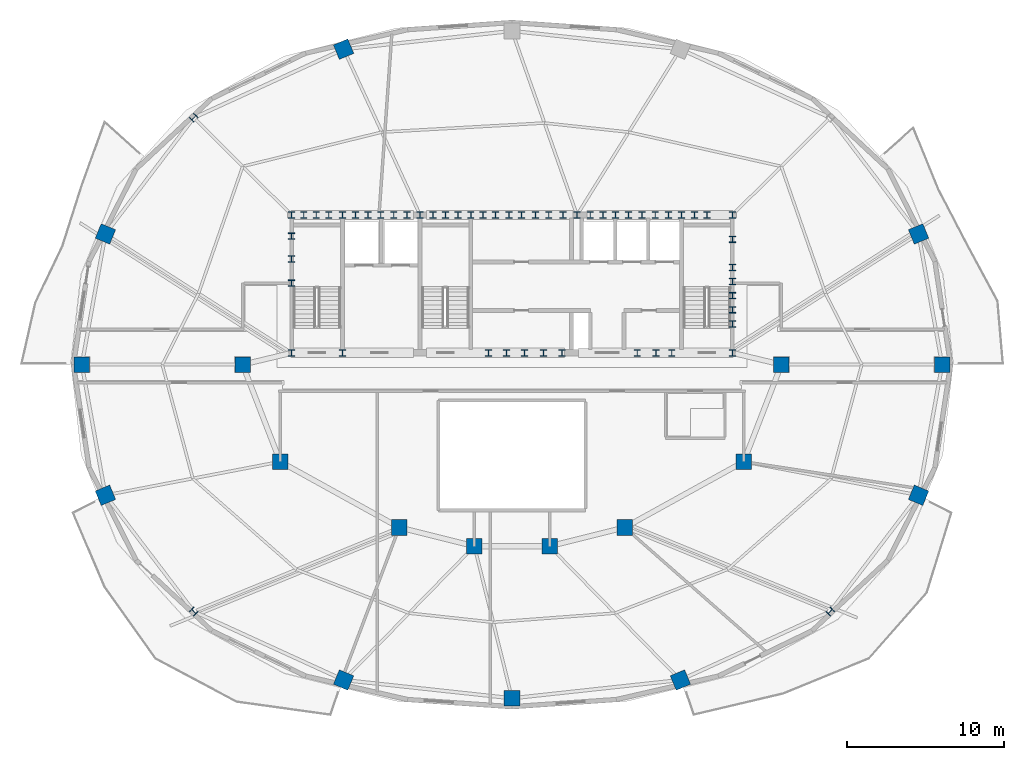
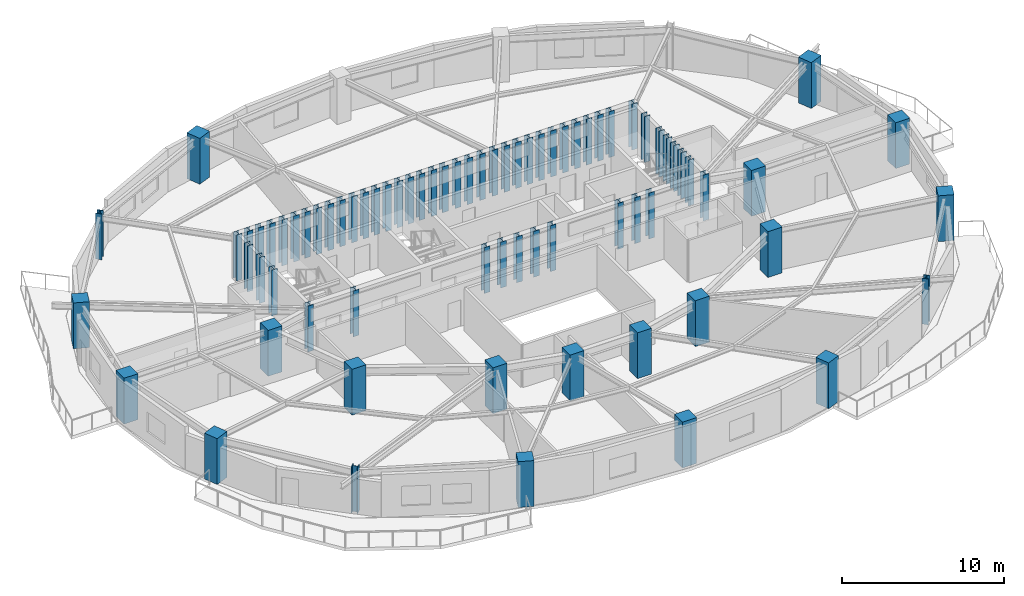
# One storey, part 1 of 11: 75 columns.
"""IFC4 building model written with IfcOpenShell, lengths in metres."""

from ifc_helpers import new_model, si_unit, direction, frame, origin, origin_2d, place, context, subcontext, project, spatial, rectangle, i_section, extrude, material, material_profile, profile_set, type_object, element, save


model = new_model("IFC4")

# Units and contexts
model_context = context("Model", 3, precision=1e-05, world=origin(), true_north=direction((0.0, 1.0)))
body_context = subcontext(model_context, "Body", "Model", "MODEL_VIEW")
ifc_project = project(units=[si_unit("LENGTHUNIT", "METRE"), si_unit("AREAUNIT", "SQUARE_METRE"), si_unit("VOLUMEUNIT", "CUBIC_METRE"), si_unit("PLANEANGLEUNIT", "RADIAN"), si_unit("MASSUNIT", "GRAM", prefix="KILO")], contexts=[model_context])

# Site, building, storey
site_placement = place(None, origin())
site = spatial("IfcSite", under=ifc_project, at=site_placement, CompositionType="ELEMENT")
building_placement = place(site_placement, origin())
building = spatial("IfcBuilding", under=site, at=building_placement, Name="Haldorwick Loom Tower", CompositionType="ELEMENT")
storey_placement = place(building_placement, frame((0.0, 0.0, 227.10009765625)))
storey = spatial("IfcBuildingStorey", under=building, at=storey_placement, Name="L61", CompositionType="ELEMENT", Elevation=227.10009765625)

# Columns
ifc_material_1 = material(Name="Concrete C60 (60 MPa)", Category="concrete")
ifc_material_profile_1 = material_profile(ifc_material_1, rectangle(XDim=1.0, YDim=1.0, at=origin_2d()), Name="RC1000X1000", Category="concrete")
ifc_profile_set_1 = profile_set([ifc_material_profile_1], Name="Concrete C60 (60 MPa)")
column_type_1 = type_object("IfcColumnType", Name="STR-COL-RC1000", PredefinedType="COLUMN", material=ifc_profile_set_1)
for number, where, z_axis, x_axis, name in (
    (1, (53.199951171875, 26.0, 0.0), (0.0, 0.0, 1.0), (1.0, 0.0, 0.0), "L61 Inner Column IC-01"),
    (2, (50.800048828125, 19.800048828125, 0.0), (0.0, 0.0, 1.0), (1.0, 0.0, 0.0), "L61 Inner Column IC-02"),
    (3, (43.199951171875, 15.60009765625, 0.0), (0.0, 0.0, 1.0), (1.0, 0.0, 0.0), "L61 Inner Column IC-03"),
    (4, (38.39990234375, 14.39990234375, 0.0), (0.0, 0.0, 1.0), (1.0, 0.0, 0.0), "L61 Inner Column IC-04"),
    (5, (33.60009765625, 14.39990234375, 0.0), (0.0, 0.0, 1.0), (1.0, 0.0, 0.0), "L61 Inner Column IC-05"),
    (6, (28.800048828125, 15.60009765625, 0.0), (0.0, 0.0, 1.0), (1.0, 0.0, 0.0), "L61 Inner Column IC-06"),
    (7, (21.199951171875, 19.800048828125, 0.0), (0.0, 0.0, 1.0), (1.0, 0.0, 0.0), "L61 Inner Column IC-07"),
    (8, (18.800048828125, 26.0, 0.0), (0.0, 0.0, 1.0), (1.0, 0.0, 0.0), "L61 Inner Column IC-08"),
    (9, (63.46630859375, 26.0, 0.0), (0.0, 0.0, 1.0), (1.0, 0.0, 0.0), "L61 Perimeter Pier Column P01"),
    (10, (61.9609375, 34.342529296875, 0.0), (0.0, 0.0, 1.0), (0.923879532511, 0.382683432365, 0.0), "L61 Perimeter Pier Column P02"),
    (11, (25.24658203125, 46.140625, 0.0), (0.0, 0.0, 1.0), (-0.382683432365, 0.923879532511, 0.0), "L61 Perimeter Pier Column P06"),
    (12, (10.0390625, 34.342529296875, 0.0), (0.0, 0.0, 1.0), (-0.923879532511, 0.382683432365, 0.0), "L61 Perimeter Pier Column P08"),
    (13, (8.53369140625, 26.0, 0.0), (0.0, 0.0, 1.0), (-1.0, 0.0, 0.0), "L61 Perimeter Pier Column P09"),
    (14, (10.0390625, 17.657470703125, 0.0), (0.0, 0.0, 1.0), (-0.923879532511, -0.382683432365, 0.0), "L61 Perimeter Pier Column P10"),
    (15, (25.24658203125, 5.859375, 0.0), (0.0, 0.0, 1.0), (-0.382683432365, -0.923879532511, 0.0), "L61 Perimeter Pier Column P12"),
    (16, (36.0, 4.695068359375, 0.0), (0.0, 0.0, 1.0), (0.0, -1.0, 0.0), "L61 Perimeter Pier Column P13"),
    (17, (46.75341796875, 5.859375, 0.0), (0.0, 0.0, 1.0), (0.382683432365, -0.923879532511, 0.0), "L61 Perimeter Pier Column P14"),
    (18, (61.9609375, 17.657470703125, 0.0), (0.0, 0.0, 1.0), (0.923879532511, -0.382683432365, 0.0), "L61 Perimeter Pier Column P16"),
):
    element("IfcColumn", number, at=place(storey_placement, frame(where, z_axis=z_axis, x_axis=x_axis)), inside=storey, type_object=column_type_1, Name=name, PredefinedType="COLUMN", context=body_context, shape_type="SweptSolid", body=[
        extrude(rectangle(XDim=1.0, YDim=1.0, at=origin_2d()), origin(), (0.0, 0.0, 1.0), 3.449951171875),
    ])
ifc_material_2 = material(Name="Steel CSA G40.21 350W", Category="steel")
ifc_material_profile_2 = material_profile(ifc_material_2, i_section(OverallWidth=0.406005859375, OverallDepth=0.416015625, WebThickness=0.024169921875, FlangeThickness=0.03857421875, at=origin_2d()), Name="W360X382", Category="steel")
ifc_profile_set_2 = profile_set([ifc_material_profile_2], Name="Steel CSA G40.21 350W")
column_type_2 = type_object("IfcColumnType", Name="STR-COL-W360X382", PredefinedType="COLUMN", material=ifc_profile_set_2)
for number, where, z_axis, x_axis, name in (
    (19, (21.929931640625, 35.550048828125, 0.0), (0.0, 0.0, 1.0), (1.0, 0.0, 0.0), "L61 Core Pilaster CB-01"),
    (20, (23.5, 35.550048828125, 0.0), (0.0, 0.0, 1.0), (1.0, 0.0, 0.0), "L61 Core Pilaster CB-02"),
    (21, (25.169921875, 35.550048828125, 0.0), (0.0, 0.0, 1.0), (1.0, 0.0, 0.0), "L61 Core Pilaster CB-03"),
    (22, (26.800048828125, 35.550048828125, 0.0), (0.0, 0.0, 1.0), (1.0, 0.0, 0.0), "L61 Core Pilaster CB-04"),
    (23, (28.449951171875, 35.550048828125, 0.0), (0.0, 0.0, 1.0), (1.0, 0.0, 0.0), "L61 Core Pilaster CB-05"),
    (24, (30.1298828125, 35.550048828125, 0.0), (0.0, 0.0, 1.0), (1.0, 0.0, 0.0), "L61 Core Pilaster CB-06"),
    (25, (31.75, 35.550048828125, 0.0), (0.0, 0.0, 1.0), (1.0, 0.0, 0.0), "L61 Core Pilaster CB-07"),
    (26, (33.3701171875, 35.550048828125, 0.0), (0.0, 0.0, 1.0), (1.0, 0.0, 0.0), "L61 Core Pilaster CB-08"),
    (27, (34.949951171875, 35.550048828125, 0.0), (0.0, 0.0, 1.0), (1.0, 0.0, 0.0), "L61 Core Pilaster CB-09"),
    (28, (36.60009765625, 35.550048828125, 0.0), (0.0, 0.0, 1.0), (1.0, 0.0, 0.0), "L61 Core Pilaster CB-10"),
    (29, (38.35009765625, 35.550048828125, 0.0), (0.0, 0.0, 1.0), (1.0, 0.0, 0.0), "L61 Core Pilaster CB-11"),
    (30, (40.14990234375, 35.550048828125, 0.0), (0.0, 0.0, 1.0), (1.0, 0.0, 0.0), "L61 Core Pilaster CB-12"),
    (31, (41.800048828125, 35.550048828125, 0.0), (0.0, 0.0, 1.0), (1.0, 0.0, 0.0), "L61 Core Pilaster CB-13"),
    (32, (43.449951171875, 35.550048828125, 0.0), (0.0, 0.0, 1.0), (1.0, 0.0, 0.0), "L61 Core Pilaster CB-14"),
    (33, (45.14990234375, 35.550048828125, 0.0), (0.0, 0.0, 1.0), (1.0, 0.0, 0.0), "L61 Core Pilaster CB-15"),
    (34, (46.830078125, 35.550048828125, 0.0), (0.0, 0.0, 1.0), (1.0, 0.0, 0.0), "L61 Core Pilaster CB-16"),
    (35, (48.449951171875, 35.550048828125, 0.0), (0.0, 0.0, 1.0), (1.0, 0.0, 0.0), "L61 Core Pilaster CB-17"),
    (36, (50.070068359375, 35.550048828125, 0.0), (0.0, 0.0, 1.0), (1.0, 0.0, 0.0), "L61 Core Pilaster CB-18"),
    (37, (21.929931640625, 26.75, 0.0), (0.0, 0.0, 1.0), (1.0, 0.0, 0.0), "L61 Core Pilaster CB-19"),
    (38, (25.169921875, 26.75, 0.0), (0.0, 0.0, 1.0), (1.0, 0.0, 0.0), "L61 Core Pilaster CB-20"),
    (39, (34.5, 26.75, 0.0), (0.0, 0.0, 1.0), (1.0, 0.0, 0.0), "L61 Core Pilaster CB-21"),
    (40, (36.800048828125, 26.75, 0.0), (0.0, 0.0, 1.0), (1.0, 0.0, 0.0), "L61 Core Pilaster CB-22"),
    (41, (39.199951171875, 26.75, 0.0), (0.0, 0.0, 1.0), (1.0, 0.0, 0.0), "L61 Core Pilaster CB-23"),
    (42, (45.199951171875, 26.75, 0.0), (0.0, 0.0, 1.0), (1.0, 0.0, 0.0), "L61 Core Pilaster CB-24"),
    (43, (50.070068359375, 26.75, 0.0), (0.0, 0.0, 1.0), (1.0, 0.0, 0.0), "L61 Core Pilaster CB-25"),
    (44, (21.929931640625, 31.199951171875, 0.0), (0.0, 0.0, 1.0), (1.0, 0.0, 0.0), "L61 Core Pilaster CB-26"),
    (45, (21.929931640625, 32.75, 0.0), (0.0, 0.0, 1.0), (1.0, 0.0, 0.0), "L61 Core Pilaster CB-27"),
    (46, (21.929931640625, 34.199951171875, 0.0), (0.0, 0.0, 1.0), (1.0, 0.0, 0.0), "L61 Core Pilaster CB-28"),
    (47, (50.070068359375, 28.60009765625, 0.0), (0.0, 0.0, 1.0), (1.0, 0.0, 0.0), "L61 Core Pilaster CB-29"),
    (48, (50.070068359375, 30.39990234375, 0.0), (0.0, 0.0, 1.0), (1.0, 0.0, 0.0), "L61 Core Pilaster CB-30"),
    (49, (50.070068359375, 32.199951171875, 0.0), (0.0, 0.0, 1.0), (1.0, 0.0, 0.0), "L61 Core Pilaster CB-31"),
    (50, (50.070068359375, 34.0, 0.0), (0.0, 0.0, 1.0), (1.0, 0.0, 0.0), "L61 Core Pilaster CB-32"),
    (51, (22.699951171875, 35.550048828125, 0.0), (0.0, 0.0, 1.0), (1.0, 0.0, 0.0), "L61 Core Pilaster CB-33"),
    (52, (27.6201171875, 35.550048828125, 0.0), (0.0, 0.0, 1.0), (1.0, 0.0, 0.0), "L61 Core Pilaster CB-34"),
    (53, (32.550048828125, 35.550048828125, 0.0), (0.0, 0.0, 1.0), (1.0, 0.0, 0.0), "L61 Core Pilaster CB-35"),
    (54, (37.5, 35.550048828125, 0.0), (0.0, 0.0, 1.0), (1.0, 0.0, 0.0), "L61 Core Pilaster CB-36"),
    (55, (42.6201171875, 35.550048828125, 0.0), (0.0, 0.0, 1.0), (1.0, 0.0, 0.0), "L61 Core Pilaster CB-37"),
    (56, (47.64990234375, 35.550048828125, 0.0), (0.0, 0.0, 1.0), (1.0, 0.0, 0.0), "L61 Core Pilaster CB-38"),
    (57, (24.300048828125, 35.550048828125, 0.0), (0.0, 0.0, 1.0), (1.0, 0.0, 0.0), "L61 Core Pilaster CB-39"),
    (58, (26.0, 35.550048828125, 0.0), (0.0, 0.0, 1.0), (1.0, 0.0, 0.0), "L61 Core Pilaster CB-40"),
    (59, (29.300048828125, 35.550048828125, 0.0), (0.0, 0.0, 1.0), (1.0, 0.0, 0.0), "L61 Core Pilaster CB-41"),
    (60, (30.949951171875, 35.550048828125, 0.0), (0.0, 0.0, 1.0), (1.0, 0.0, 0.0), "L61 Core Pilaster CB-42"),
    (61, (34.14990234375, 35.550048828125, 0.0), (0.0, 0.0, 1.0), (1.0, 0.0, 0.0), "L61 Core Pilaster CB-43"),
    (62, (35.800048828125, 35.550048828125, 0.0), (0.0, 0.0, 1.0), (1.0, 0.0, 0.0), "L61 Core Pilaster CB-44"),
    (63, (39.25, 35.550048828125, 0.0), (0.0, 0.0, 1.0), (1.0, 0.0, 0.0), "L61 Core Pilaster CB-45"),
    (64, (41.0, 35.550048828125, 0.0), (0.0, 0.0, 1.0), (1.0, 0.0, 0.0), "L61 Core Pilaster CB-46"),
    (65, (44.300048828125, 35.550048828125, 0.0), (0.0, 0.0, 1.0), (1.0, 0.0, 0.0), "L61 Core Pilaster CB-47"),
    (66, (46.0, 35.550048828125, 0.0), (0.0, 0.0, 1.0), (1.0, 0.0, 0.0), "L61 Core Pilaster CB-48"),
    (67, (50.070068359375, 29.5, 0.0), (0.0, 0.0, 1.0), (1.0, 0.0, 0.0), "L61 Core Pilaster CB-49"),
    (68, (50.070068359375, 31.300048828125, 0.0), (0.0, 0.0, 1.0), (1.0, 0.0, 0.0), "L61 Core Pilaster CB-50"),
    (69, (35.64990234375, 26.75, 0.0), (0.0, 0.0, 1.0), (1.0, 0.0, 0.0), "L61 Core Pilaster CB-51"),
    (70, (38.0, 26.75, 0.0), (0.0, 0.0, 1.0), (1.0, 0.0, 0.0), "L61 Core Pilaster CB-52"),
    (71, (44.0, 26.75, 0.0), (0.0, 0.0, 1.0), (1.0, 0.0, 0.0), "L61 Core Pilaster CB-53"),
    (72, (46.199951171875, 26.75, 0.0), (0.0, 0.0, 1.0), (1.0, 0.0, 0.0), "L61 Core Pilaster CB-54"),
    (73, (15.682373046875, 41.764892578125, 0.0), (0.0, 0.0, 1.0), (-0.707106781187, 0.707106781187, 0.0), "L61 Perimeter Pier Column P07"),
    (74, (15.682373046875, 10.235107421875, 0.0), (0.0, 0.0, 1.0), (-0.707106781187, -0.707106781187, 0.0), "L61 Perimeter Pier Column P11"),
    (75, (56.317626953125, 10.235107421875, 0.0), (0.0, 0.0, 1.0), (0.707106781187, -0.707106781187, 0.0), "L61 Perimeter Pier Column P15"),
):
    element("IfcColumn", number, at=place(storey_placement, frame(where, z_axis=z_axis, x_axis=x_axis)), inside=storey, type_object=column_type_2, Name=name, PredefinedType="COLUMN", context=body_context, shape_type="SweptSolid", body=[
        extrude(i_section(OverallWidth=0.406005859375, OverallDepth=0.416015625, WebThickness=0.024169921875, FlangeThickness=0.03857421875, at=origin_2d()), origin(), (0.0, 0.0, 1.0), 3.449951171875),
    ])

save(model, "model.ifc")
